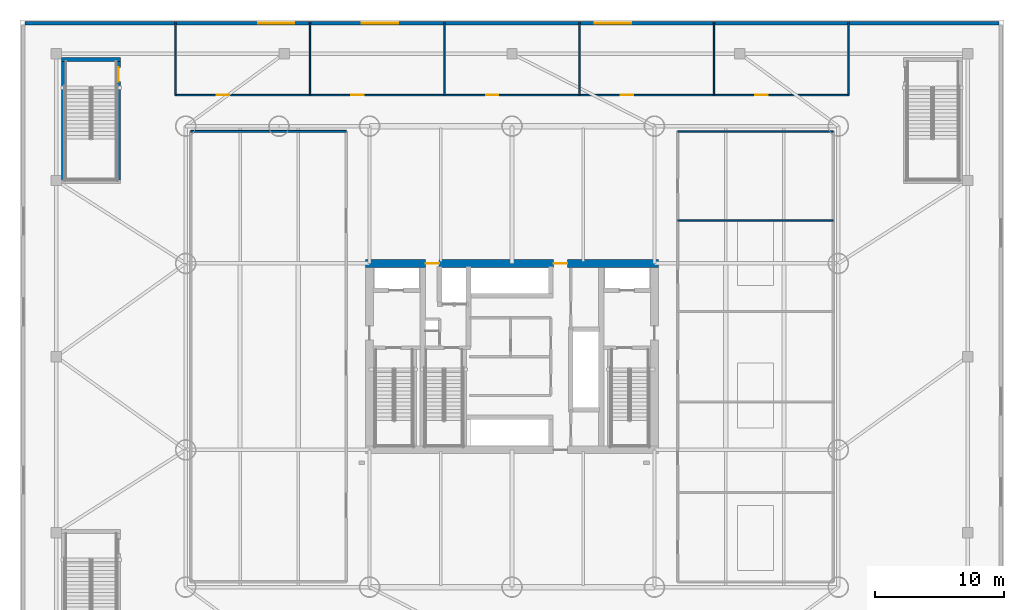
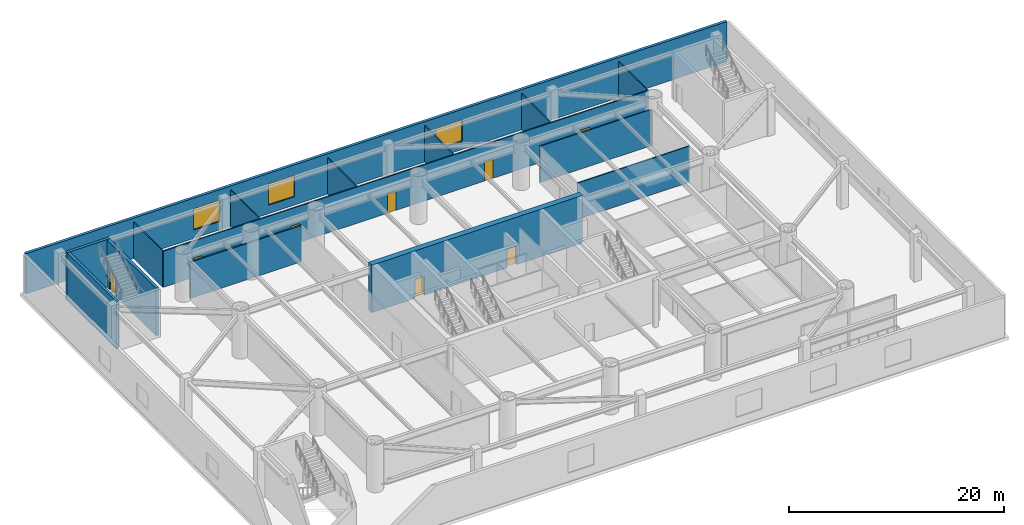
# One storey, part 8 of 16: 15 walls, 8 doors, 3 windows, 11 openings.
"""IFC4 building model written with IfcOpenShell, lengths in metres."""

from ifc_helpers import new_model, si_unit, direction, frame, frame_2d, origin, place, context, subcontext, project, spatial, rectangle, extrude, material, layer, layer_set, type_object, element, fill, save


model = new_model("IFC4")

# Units and contexts
model_context = context("Model", 3, precision=1e-05, world=origin(), true_north=direction((0.0, 1.0)))
body_context = subcontext(model_context, "Body", "Model", "MODEL_VIEW")
ifc_project = project(units=[si_unit("LENGTHUNIT", "METRE"), si_unit("AREAUNIT", "SQUARE_METRE"), si_unit("VOLUMEUNIT", "CUBIC_METRE"), si_unit("PLANEANGLEUNIT", "RADIAN"), si_unit("MASSUNIT", "GRAM", prefix="KILO")], contexts=[model_context])

# Site, building, storey
site_placement = place(None, origin())
site = spatial("IfcSite", under=ifc_project, at=site_placement, CompositionType="ELEMENT")
building_placement = place(site_placement, origin())
building = spatial("IfcBuilding", under=site, at=building_placement, Name="Bramvorn Convention Spire", CompositionType="ELEMENT")
storey_placement = place(building_placement, frame((0.0, 0.0, 18.60009765625)))
storey = spatial("IfcBuildingStorey", under=building, at=storey_placement, Name="L03", CompositionType="ELEMENT", Elevation=18.60009765625)

# Wall, openings, doors
ifc_material_1 = material(Name="Concrete C60/70", Category="concrete")
ifc_layer_1 = layer(ifc_material_1, 0.60009765625)
ifc_layer_set_1 = layer_set([ifc_layer_1], Name="Concrete C60/70 - WL-CORE-600")
wall_type_1 = type_object("IfcWallType", Name="WL-CORE-600", PredefinedType="SHEAR", material=ifc_layer_set_1)
wall_1_placement = place(storey_placement, frame((26.699951171875, 33.199951171875, 0.0), z_axis=(0.0, 0.0, 1.0), x_axis=(1.0, 0.0, 0.0)))
wall_1 = element("IfcWall", 1, at=wall_1_placement, inside=storey, type_object=wall_type_1, Name="L03 North RC core shear wall", PredefinedType="SHEAR", context=body_context, shape_type="SweptSolid", body=[
    extrude(rectangle(XDim=22.60009765625, YDim=0.60009765625, at=frame_2d((11.300048828125, 0.0))), origin(), (0.0, 0.0, 1.0), 5.39990234375),
])
opening_1_placement = place(wall_1_placement, frame((4.6201171875, 0.0, 0.0)))
opening_1 = element("IfcOpeningElement", 2, at=opening_1_placement, cuts=wall_1, Name="Opening DL-105", PredefinedType="OPENING", context=body_context, shape_type="SweptSolid", body=[
    extrude(rectangle(XDim=1.050048828125, YDim=2.14990234375, at=frame_2d((0.52490234375, 1.074951171875))), frame((0.0, 0.31005859375, 0.0), z_axis=(0.0, -1.0, 0.0), x_axis=(1.0, 0.0, 0.0)), (0.0, 0.0, 1.0), 0.6201171875),
])
opening_2_placement = place(wall_1_placement, frame((14.52001953125, 0.0, 0.0)))
opening_2 = element("IfcOpeningElement", 3, at=opening_2_placement, cuts=wall_1, Name="Opening DL-105", PredefinedType="OPENING", context=body_context, shape_type="SweptSolid", body=[
    extrude(rectangle(XDim=1.050048828125, YDim=2.14990234375, at=frame_2d((0.52490234375, 1.074951171875))), frame((0.0, 0.31005859375, 0.0), z_axis=(0.0, -1.0, 0.0), x_axis=(1.0, 0.0, 0.0)), (0.0, 0.0, 1.0), 0.6201171875),
])
ifc_material_2 = material(Name="Smoke-Sealed Fire Lobby Timber-Core Door", Category="wood")
door_type_1 = type_object("IfcDoorType", Name="DR-LOBBY-1050", OperationType="NOTDEFINED", PredefinedType="DOOR", material=ifc_material_2)
door_1_placement = place(opening_1_placement, origin())
door_1 = element("IfcDoor", 4, at=door_1_placement, inside=storey, type_object=door_type_1, Name="L03 Service & Stair ST3 Lobby north corridor door", OperationType="SINGLE_SWING_LEFT", OverallHeight=2.14990234375, OverallWidth=1.050048828125, PredefinedType="DOOR", context=body_context, shape_type="SweptSolid", body=[
    extrude(rectangle(XDim=1.050048828125, YDim=2.14990234375, at=frame_2d((0.52490234375, 1.074951171875))), frame((0.0, 0.02490234375, 0.0), z_axis=(0.0, -1.0, 0.0), x_axis=(1.0, 0.0, 0.0)), (0.0, 0.0, 1.0), 0.050048828125),
])
fill(opening_1, door_1)
door_2_placement = place(opening_2_placement, origin())
door_2 = element("IfcDoor", 5, at=door_2_placement, inside=storey, type_object=door_type_1, Name="L03 North Lift Lobby fire door", OperationType="SINGLE_SWING_LEFT", OverallHeight=2.14990234375, OverallWidth=1.050048828125, PredefinedType="DOOR", context=body_context, shape_type="SweptSolid", body=[
    extrude(rectangle(XDim=1.050048828125, YDim=2.14990234375, at=frame_2d((0.52490234375, 1.074951171875))), frame((0.0, 0.02490234375, 0.0), z_axis=(0.0, -1.0, 0.0), x_axis=(1.0, 0.0, 0.0)), (0.0, 0.0, 1.0), 0.050048828125),
])
fill(opening_2, door_2)

# Wall, openings, windows
ifc_material_3 = material(Name="Precast Concrete C40/50 with Bronze Terracotta Rainscreen", Category="masonry")
ifc_layer_2 = layer(ifc_material_3, 0.300048828125)
ifc_layer_set_2 = layer_set([ifc_layer_2], Name="Precast Concrete C40/50 with Bronze Terracotta Rainscreen - WL-EXT-BRONZE-300")
wall_type_2 = type_object("IfcWallType", Name="WL-EXT-BRONZE-300", PredefinedType="SOLIDWALL", material=ifc_layer_set_2)
wall_2_placement = place(storey_placement, frame((0.39990234375, 51.75, 0.0), z_axis=(0.0, 0.0, 1.0), x_axis=(1.0, 0.0, 0.0)))
wall_2 = element("IfcWall", 6, at=wall_2_placement, inside=storey, type_object=wall_type_2, Name="L03 North podium bronze facade wall", PredefinedType="SOLIDWALL", context=body_context, shape_type="SweptSolid", body=[
    extrude(rectangle(XDim=75.2001953125, YDim=0.300048828125, at=frame_2d((37.60009765625, 0.0))), origin(), (0.0, 0.0, 1.0), 4.559814453125),
])
opening_3_placement = place(wall_2_placement, frame((18.0, 0.0, 0.949951171875)))
opening_3 = element("IfcOpeningElement", 7, at=opening_3_placement, cuts=wall_2, Name="Opening WN09", PredefinedType="OPENING", context=body_context, shape_type="SweptSolid", body=[
    extrude(rectangle(XDim=2.800048828125, YDim=2.39990234375, at=frame_2d((1.39990234375, 1.199951171875))), frame((0.0, 0.159912109375, 0.0), z_axis=(0.0, -1.0, 0.0), x_axis=(1.0, 0.0, 0.0)), (0.0, 0.0, 1.0), 0.320068359375),
])
opening_4_placement = place(wall_2_placement, frame((26.0, 0.0, 0.949951171875)))
opening_4 = element("IfcOpeningElement", 8, at=opening_4_placement, cuts=wall_2, Name="Opening WN09", PredefinedType="OPENING", context=body_context, shape_type="SweptSolid", body=[
    extrude(rectangle(XDim=2.800048828125, YDim=2.39990234375, at=frame_2d((1.39990234375, 1.199951171875))), frame((0.0, 0.159912109375, 0.0), z_axis=(0.0, -1.0, 0.0), x_axis=(1.0, 0.0, 0.0)), (0.0, 0.0, 1.0), 0.320068359375),
])
opening_5_placement = place(wall_2_placement, frame((44.0, 0.0, 0.949951171875)))
opening_5 = element("IfcOpeningElement", 9, at=opening_5_placement, cuts=wall_2, Name="Opening WN09", PredefinedType="OPENING", context=body_context, shape_type="SweptSolid", body=[
    extrude(rectangle(XDim=2.800048828125, YDim=2.39990234375, at=frame_2d((1.39990234375, 1.199951171875))), frame((0.0, 0.159912109375, 0.0), z_axis=(0.0, -1.0, 0.0), x_axis=(1.0, 0.0, 0.0)), (0.0, 0.0, 1.0), 0.320068359375),
])
ifc_material_4 = material(Name="Thermally Broken Bronze Aluminium & Triple Low-E Glass", Category="aluminium")
window_type = type_object("IfcWindowType", Name="WN-POD-2800X2400", PartitioningType="SINGLE_PANEL", PredefinedType="WINDOW", material=ifc_material_4)
window_1_placement = place(opening_3_placement, origin())
window_1 = element("IfcWindow", 10, at=window_1_placement, inside=storey, type_object=window_type, Name="L03 North operable convention window 2", OverallHeight=2.39990234375, OverallWidth=2.800048828125, PartitioningType="SINGLE_PANEL", PredefinedType="WINDOW", context=body_context, shape_type="SweptSolid", body=[
    extrude(rectangle(XDim=2.800048828125, YDim=2.39990234375, at=frame_2d((1.39990234375, 1.199951171875))), frame((0.0, 0.030029296875, 0.0), z_axis=(0.0, -1.0, 0.0), x_axis=(1.0, 0.0, 0.0)), (0.0, 0.0, 1.0), 0.06005859375),
])
fill(opening_3, window_1)
window_2_placement = place(opening_4_placement, origin())
window_2 = element("IfcWindow", 11, at=window_2_placement, inside=storey, type_object=window_type, Name="L03 North operable convention window 3", OverallHeight=2.39990234375, OverallWidth=2.800048828125, PartitioningType="SINGLE_PANEL", PredefinedType="WINDOW", context=body_context, shape_type="SweptSolid", body=[
    extrude(rectangle(XDim=2.800048828125, YDim=2.39990234375, at=frame_2d((1.39990234375, 1.199951171875))), frame((0.0, 0.030029296875, 0.0), z_axis=(0.0, -1.0, 0.0), x_axis=(1.0, 0.0, 0.0)), (0.0, 0.0, 1.0), 0.06005859375),
])
fill(opening_4, window_2)
window_3_placement = place(opening_5_placement, origin())
window_3 = element("IfcWindow", 12, at=window_3_placement, inside=storey, type_object=window_type, Name="L03 North operable convention window 4", OverallHeight=2.39990234375, OverallWidth=2.800048828125, PartitioningType="SINGLE_PANEL", PredefinedType="WINDOW", context=body_context, shape_type="SweptSolid", body=[
    extrude(rectangle(XDim=2.800048828125, YDim=2.39990234375, at=frame_2d((1.39990234375, 1.199951171875))), frame((0.0, 0.030029296875, 0.0), z_axis=(0.0, -1.0, 0.0), x_axis=(1.0, 0.0, 0.0)), (0.0, 0.0, 1.0), 0.06005859375),
])
fill(opening_5, window_3)

# Walls
ifc_material_5 = material(Name="Lightweight En-Suite & Wet-Wall Partition", Category="gypsum")
ifc_layer_3 = layer(ifc_material_5, 0.110107421875)
ifc_layer_set_3 = layer_set([ifc_layer_3], Name="Lightweight En-Suite & Wet-Wall Partition - WL-PART-110")
wall_type_3 = type_object("IfcWallType", Name="WL-PART-110", PredefinedType="PARTITIONING", material=ifc_layer_set_3)
for number, where, z_axis, x_axis, name in (
    (13, (50.800048828125, 36.5, 0.0), (0.0, 0.0, 1.0), (1.0, 0.0, 0.0), "L03 Seminar divider 4"),
    (14, (50.800048828125, 43.39990234375, 0.0), (0.0, 0.0, 1.0), (1.0, 0.0, 0.0), "L03 Seminar north wall"),
):
    element("IfcWall", number, at=place(storey_placement, frame(where, z_axis=z_axis, x_axis=x_axis)), inside=storey, type_object=wall_type_3, Name=name, PredefinedType="PARTITIONING", context=body_context, shape_type="SweptSolid", body=[
        extrude(rectangle(XDim=12.0, YDim=0.110107421875, at=frame_2d((6.0, 0.0))), origin(), (0.0, 0.0, 1.0), 4.10986328125),
    ])
for number, where, z_axis, x_axis, name in (
    (15, (12.0, 46.199951171875, 0.0), (0.0, 0.0, 1.0), (0.0, 1.0, 0.0), "L03 North divider 0"),
    (16, (22.39990234375, 46.199951171875, 0.0), (0.0, 0.0, 1.0), (0.0, 1.0, 0.0), "L03 North divider 1"),
    (17, (32.800048828125, 46.199951171875, 0.0), (0.0, 0.0, 1.0), (0.0, 1.0, 0.0), "L03 North divider 2"),
    (18, (43.199951171875, 46.199951171875, 0.0), (0.0, 0.0, 1.0), (0.0, 1.0, 0.0), "L03 North divider 3"),
    (19, (53.60009765625, 46.199951171875, 0.0), (0.0, 0.0, 1.0), (0.0, 1.0, 0.0), "L03 North divider 4"),
    (20, (64.0, 46.199951171875, 0.0), (0.0, 0.0, 1.0), (0.0, 1.0, 0.0), "L03 North east end wall"),
):
    element("IfcWall", number, at=place(storey_placement, frame(where, z_axis=z_axis, x_axis=x_axis)), inside=storey, type_object=wall_type_3, Name=name, PredefinedType="PARTITIONING", context=body_context, shape_type="SweptSolid", body=[
        extrude(rectangle(XDim=5.66015625, YDim=0.110107421875, at=frame_2d((2.830078125, 0.0))), origin(), (0.0, 0.0, 1.0), 4.10986328125),
    ])

# Wall, openings, doors
ifc_material_6 = material(Name="Metal-Stud Demountable Office Partition", Category="gypsum")
ifc_layer_4 = layer(ifc_material_6, 0.1298828125)
ifc_layer_set_4 = layer_set([ifc_layer_4], Name="Metal-Stud Demountable Office Partition - WL-PART-130")
wall_type_4 = type_object("IfcWallType", Name="WL-PART-130", PredefinedType="PARTITIONING", material=ifc_layer_set_4)
wall_3_placement = place(storey_placement, frame((12.0, 46.199951171875, 0.0), z_axis=(0.0, 0.0, 1.0), x_axis=(1.0, 0.0, 0.0)))
wall_3 = element("IfcWall", 21, at=wall_3_placement, inside=storey, type_object=wall_type_4, Name="L03 North Congress suite wall", PredefinedType="PARTITIONING", context=body_context, shape_type="SweptSolid", body=[
    extrude(rectangle(XDim=52.0, YDim=0.1298828125, at=frame_2d((26.0, 0.0))), origin(), (0.0, 0.0, 1.0), 4.10986328125),
])
opening_6_placement = place(wall_3_placement, frame((3.199951171875, 0.0, 0.0)))
opening_6 = element("IfcOpeningElement", 22, at=opening_6_placement, cuts=wall_3, Name="Opening DI-095", PredefinedType="OPENING", context=body_context, shape_type="SweptSolid", body=[
    extrude(rectangle(XDim=0.949951171875, YDim=2.14990234375, at=frame_2d((0.47509765625, 1.074951171875))), frame((0.0, 0.074951171875, 0.0), z_axis=(0.0, -1.0, 0.0), x_axis=(1.0, 0.0, 0.0)), (0.0, 0.0, 1.0), 0.14990234375),
])
opening_7_placement = place(wall_3_placement, frame((13.60009765625, 0.0, 0.0)))
opening_7 = element("IfcOpeningElement", 23, at=opening_7_placement, cuts=wall_3, Name="Opening DI-095", PredefinedType="OPENING", context=body_context, shape_type="SweptSolid", body=[
    extrude(rectangle(XDim=0.949951171875, YDim=2.14990234375, at=frame_2d((0.47509765625, 1.074951171875))), frame((0.0, 0.074951171875, 0.0), z_axis=(0.0, -1.0, 0.0), x_axis=(1.0, 0.0, 0.0)), (0.0, 0.0, 1.0), 0.14990234375),
])
opening_8_placement = place(wall_3_placement, frame((24.0, 0.0, 0.0)))
opening_8 = element("IfcOpeningElement", 24, at=opening_8_placement, cuts=wall_3, Name="Opening DI-095", PredefinedType="OPENING", context=body_context, shape_type="SweptSolid", body=[
    extrude(rectangle(XDim=0.949951171875, YDim=2.14990234375, at=frame_2d((0.47509765625, 1.074951171875))), frame((0.0, 0.074951171875, 0.0), z_axis=(0.0, -1.0, 0.0), x_axis=(1.0, 0.0, 0.0)), (0.0, 0.0, 1.0), 0.14990234375),
])
opening_9_placement = place(wall_3_placement, frame((34.39990234375, 0.0, 0.0)))
opening_9 = element("IfcOpeningElement", 25, at=opening_9_placement, cuts=wall_3, Name="Opening DI-095", PredefinedType="OPENING", context=body_context, shape_type="SweptSolid", body=[
    extrude(rectangle(XDim=0.949951171875, YDim=2.14990234375, at=frame_2d((0.47509765625, 1.074951171875))), frame((0.0, 0.074951171875, 0.0), z_axis=(0.0, -1.0, 0.0), x_axis=(1.0, 0.0, 0.0)), (0.0, 0.0, 1.0), 0.14990234375),
])
opening_10_placement = place(wall_3_placement, frame((44.800048828125, 0.0, 0.0)))
opening_10 = element("IfcOpeningElement", 26, at=opening_10_placement, cuts=wall_3, Name="Opening DI-095", PredefinedType="OPENING", context=body_context, shape_type="SweptSolid", body=[
    extrude(rectangle(XDim=0.949951171875, YDim=2.14990234375, at=frame_2d((0.47509765625, 1.074951171875))), frame((0.0, 0.074951171875, 0.0), z_axis=(0.0, -1.0, 0.0), x_axis=(1.0, 0.0, 0.0)), (0.0, 0.0, 1.0), 0.14990234375),
])
ifc_material_7 = material(Name="Stained White-Oak Acoustic Suite Door", Category="wood")
door_type_2 = type_object("IfcDoorType", Name="DR-INT-950", OperationType="NOTDEFINED", PredefinedType="DOOR", material=ifc_material_7)
door_3_placement = place(opening_6_placement, origin())
door_3 = element("IfcDoor", 27, at=door_3_placement, inside=storey, type_object=door_type_2, Name="L03 Press Briefing Room door", OperationType="SINGLE_SWING_LEFT", OverallHeight=2.14990234375, OverallWidth=0.949951171875, PredefinedType="DOOR", context=body_context, shape_type="SweptSolid", body=[
    extrude(rectangle(XDim=0.949951171875, YDim=2.14990234375, at=frame_2d((0.47509765625, 1.074951171875))), frame((0.0, 0.02490234375, 0.0), z_axis=(0.0, -1.0, 0.0), x_axis=(1.0, 0.0, 0.0)), (0.0, 0.0, 1.0), 0.050048828125),
])
fill(opening_6, door_3)
door_4_placement = place(opening_7_placement, origin())
door_4 = element("IfcDoor", 28, at=door_4_placement, inside=storey, type_object=door_type_2, Name="L03 VIP Speaker Suite door", OperationType="SINGLE_SWING_LEFT", OverallHeight=2.14990234375, OverallWidth=0.949951171875, PredefinedType="DOOR", context=body_context, shape_type="SweptSolid", body=[
    extrude(rectangle(XDim=0.949951171875, YDim=2.14990234375, at=frame_2d((0.47509765625, 1.074951171875))), frame((0.0, 0.02490234375, 0.0), z_axis=(0.0, -1.0, 0.0), x_axis=(1.0, 0.0, 0.0)), (0.0, 0.0, 1.0), 0.050048828125),
])
fill(opening_7, door_4)
door_5_placement = place(opening_8_placement, origin())
door_5 = element("IfcDoor", 29, at=door_5_placement, inside=storey, type_object=door_type_2, Name="L03 Congress Public Restrooms door", OperationType="SINGLE_SWING_LEFT", OverallHeight=2.14990234375, OverallWidth=0.949951171875, PredefinedType="DOOR", context=body_context, shape_type="SweptSolid", body=[
    extrude(rectangle(XDim=0.949951171875, YDim=2.14990234375, at=frame_2d((0.47509765625, 1.074951171875))), frame((0.0, 0.02490234375, 0.0), z_axis=(0.0, -1.0, 0.0), x_axis=(1.0, 0.0, 0.0)), (0.0, 0.0, 1.0), 0.050048828125),
])
fill(opening_8, door_5)
door_6_placement = place(opening_9_placement, origin())
door_6 = element("IfcDoor", 30, at=door_6_placement, inside=storey, type_object=door_type_2, Name="L03 Banquet Plating Kitchen door", OperationType="SINGLE_SWING_LEFT", OverallHeight=2.14990234375, OverallWidth=0.949951171875, PredefinedType="DOOR", context=body_context, shape_type="SweptSolid", body=[
    extrude(rectangle(XDim=0.949951171875, YDim=2.14990234375, at=frame_2d((0.47509765625, 1.074951171875))), frame((0.0, 0.02490234375, 0.0), z_axis=(0.0, -1.0, 0.0), x_axis=(1.0, 0.0, 0.0)), (0.0, 0.0, 1.0), 0.050048828125),
])
fill(opening_9, door_6)
door_7_placement = place(opening_10_placement, origin())
door_7 = element("IfcDoor", 31, at=door_7_placement, inside=storey, type_object=door_type_2, Name="L03 Simultaneous Interpretation Hub door", OperationType="SINGLE_SWING_LEFT", OverallHeight=2.14990234375, OverallWidth=0.949951171875, PredefinedType="DOOR", context=body_context, shape_type="SweptSolid", body=[
    extrude(rectangle(XDim=0.949951171875, YDim=2.14990234375, at=frame_2d((0.47509765625, 1.074951171875))), frame((0.0, 0.02490234375, 0.0), z_axis=(0.0, -1.0, 0.0), x_axis=(1.0, 0.0, 0.0)), (0.0, 0.0, 1.0), 0.050048828125),
])
fill(opening_10, door_7)

# Walls
ifc_material_8 = material(Name="Acoustic Metal-Stud Tenant/Corridor Partition", Category="gypsum")
ifc_layer_5 = layer(ifc_material_8, 0.14990234375)
ifc_layer_set_5 = layer_set([ifc_layer_5], Name="Acoustic Metal-Stud Tenant/Corridor Partition - WL-PART-150")
wall_type_5 = type_object("IfcWallType", Name="WL-PART-150", PredefinedType="PARTITIONING", material=ifc_layer_set_5)
wall_4_placement = place(storey_placement, frame((13.199951171875, 43.39990234375, 0.0), z_axis=(0.0, 0.0, 1.0), x_axis=(1.0, 0.0, 0.0)))
element("IfcWall", 32, at=wall_4_placement, inside=storey, type_object=wall_type_5, Name="L03 Ballroom north wall", PredefinedType="PARTITIONING", context=body_context, shape_type="SweptSolid", body=[
    extrude(rectangle(XDim=12.0, YDim=0.14990234375, at=frame_2d((6.0, 0.0))), origin(), (0.0, 0.0, 1.0), 4.10986328125),
])
ifc_material_9 = material(Name="Concrete C50/60", Category="concrete")
ifc_layer_6 = layer(ifc_material_9, 0.300048828125)
ifc_layer_set_6 = layer_set([ifc_layer_6], Name="Concrete C50/60 - WL-POD-STAIR-300")
wall_type_6 = type_object("IfcWallType", Name="WL-POD-STAIR-300", PredefinedType="SHEAR", material=ifc_layer_set_6)
wall_5_placement = place(storey_placement, frame((3.2099609375, 48.93994140625, 0.0), z_axis=(0.0, 0.0, 1.0), x_axis=(1.0, 0.0, 0.0)))
element("IfcWall", 33, at=wall_5_placement, inside=storey, type_object=wall_type_6, Name="L03 ST6 north shaft wall", PredefinedType="SHEAR", context=body_context, shape_type="SweptSolid", body=[
    extrude(rectangle(XDim=4.56005859375, YDim=0.300048828125, at=frame_2d((2.280029296875, 0.0))), origin(), (0.0, 0.0, 1.0), 5.39990234375),
])
wall_6_placement = place(storey_placement, frame((3.360107421875, 39.659912109375, 0.0), z_axis=(0.0, 0.0, 1.0), x_axis=(0.0, 1.0, 0.0)))
element("IfcWall", 34, at=wall_6_placement, inside=storey, type_object=wall_type_6, Name="L03 ST6 west shaft wall", PredefinedType="SHEAR", context=body_context, shape_type="SweptSolid", body=[
    extrude(rectangle(XDim=9.130126953125, YDim=0.300048828125, at=frame_2d((4.56494140625, 0.0))), origin(), (0.0, 0.0, 1.0), 5.39990234375),
])

# Wall, opening, door
wall_7_placement = place(storey_placement, frame((7.6201171875, 48.7900390625, 0.0), z_axis=(0.0, 0.0, 1.0), x_axis=(0.0, -1.0, 0.0)))
wall_7 = element("IfcWall", 35, at=wall_7_placement, inside=storey, type_object=wall_type_6, Name="L03 ST6 east shaft wall", PredefinedType="SHEAR", context=body_context, shape_type="SweptSolid", body=[
    extrude(rectangle(XDim=9.130126953125, YDim=0.300048828125, at=frame_2d((4.56494140625, 0.0))), origin(), (0.0, 0.0, 1.0), 5.39990234375),
])
opening_11_placement = place(wall_7_placement, frame((0.449951171875, 0.0, 0.0)))
opening_11 = element("IfcOpeningElement", 36, at=opening_11_placement, cuts=wall_7, Name="Opening DS-110", PredefinedType="OPENING", context=body_context, shape_type="SweptSolid", body=[
    extrude(rectangle(XDim=1.10009765625, YDim=2.14990234375, at=frame_2d((0.550048828125, 1.074951171875))), frame((0.0, 0.159912109375, 0.0), z_axis=(0.0, -1.0, 0.0), x_axis=(1.0, 0.0, 0.0)), (0.0, 0.0, 1.0), 0.320068359375),
])
ifc_material_10 = material(Name="Fire-Rated Hollow Steel Stairwell Door", Category="steel")
door_type_3 = type_object("IfcDoorType", Name="DR-STAIR-1100", OperationType="NOTDEFINED", PredefinedType="DOOR", material=ifc_material_10)
door_8_placement = place(opening_11_placement, origin())
door_8 = element("IfcDoor", 37, at=door_8_placement, inside=storey, type_object=door_type_3, Name="L03 ST6 exit stairwell door", OperationType="SINGLE_SWING_LEFT", OverallHeight=2.14990234375, OverallWidth=1.10009765625, PredefinedType="DOOR", context=body_context, shape_type="SweptSolid", body=[
    extrude(rectangle(XDim=1.10009765625, YDim=2.14990234375, at=frame_2d((0.550048828125, 1.074951171875))), frame((0.0, 0.02490234375, 0.0), z_axis=(0.0, -1.0, 0.0), x_axis=(1.0, 0.0, 0.0)), (0.0, 0.0, 1.0), 0.050048828125),
])
fill(opening_11, door_8)

save(model, "model.ifc")
